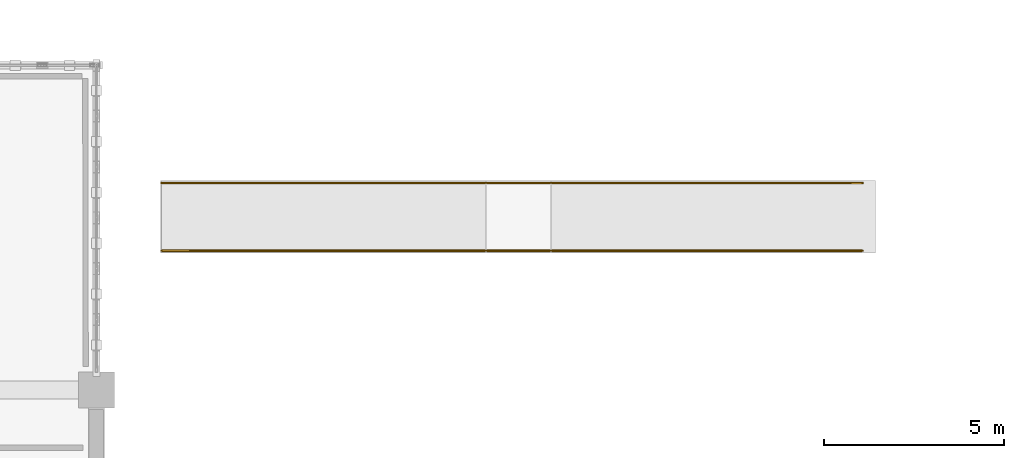
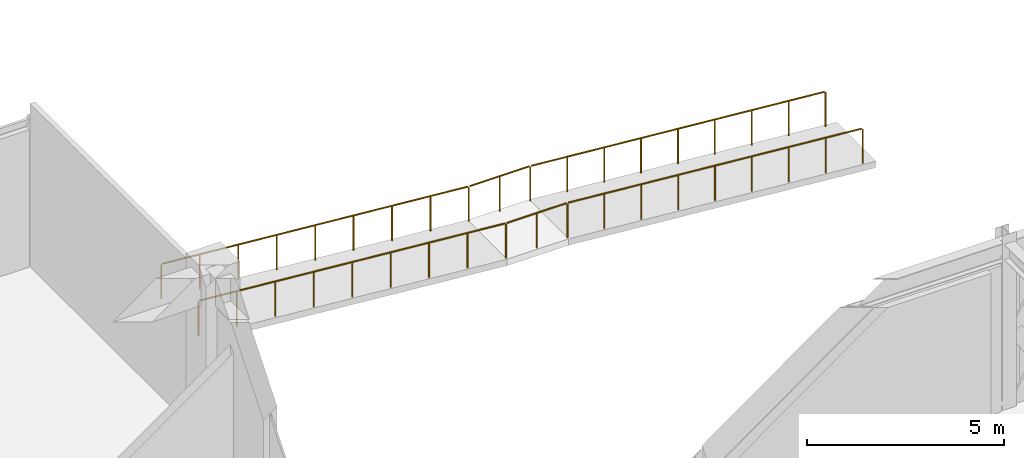
# One storey, part 136 of 140: 2 railings.
"""IFC4 building model written with IfcOpenShell, lengths in metres."""

from ifc_helpers import new_model, si_unit, direction, frame, origin, origin_2d, place, context, subcontext, project, spatial, circle, extrude, material, type_object, element, save


model = new_model("IFC4")

# Units and contexts
model_context = context("Model", 3, precision=1e-05, world=origin(), true_north=direction((0.0, 1.0)))
body_context = subcontext(model_context, "Body", "Model", "MODEL_VIEW")
ifc_project = project(units=[si_unit("LENGTHUNIT", "METRE"), si_unit("AREAUNIT", "SQUARE_METRE"), si_unit("VOLUMEUNIT", "CUBIC_METRE"), si_unit("PLANEANGLEUNIT", "RADIAN"), si_unit("MASSUNIT", "GRAM", prefix="KILO")], contexts=[model_context])

# Site, building, storey
site_placement = place(None, origin())
site = spatial("IfcSite", under=ifc_project, at=site_placement, CompositionType="ELEMENT")
building_placement = place(site_placement, origin())
building = spatial("IfcBuilding", under=site, at=building_placement, Name="Haizhuo Lancet Aquarium", CompositionType="ELEMENT")
storey_placement = place(building_placement, origin())
storey = spatial("IfcBuildingStorey", under=building, at=storey_placement, Name="L00", CompositionType="ELEMENT", Elevation=0.0)

# Railings
ifc_material = material(Name="Steel S355", Category="steel")
railing_type = type_object("IfcRailingType", Name="RL-GRD-1150", PredefinedType="GUARDRAIL", material=ifc_material)
railing_1_placement = place(storey_placement, frame((48.239990234375, 48.860107421875, -1.469970703125)))
element("IfcRailing", 1, at=railing_1_placement, inside=storey, type_object=railing_type, material=ifc_material, Name="North Plaza Accessible Plinth Ramp RMP-04 edge rail 1", PredefinedType="GUARDRAIL", context=body_context, shape_type="SweptSolid", body=[
    extrude(circle(Radius=0.02392578125, at=origin_2d()), frame((-0.02978515625, 0.0, 1.07861328125), z_axis=(-0.996545952447, 0.0, 0.08304314939), x_axis=(0.0, -1.0, 0.0)), (0.0, 0.0, 1.0), 8.60986328125),
    extrude(circle(Radius=0.02392578125, at=origin_2d()), frame((-8.669921875, 0.0, 1.7958984375), z_axis=(-1.0, 0.0, 0.0), x_axis=(0.0, -1.0, 0.0)), (0.0, 0.0, 1.0), 1.739990234375),
    extrude(circle(Radius=0.02392578125, at=origin_2d()), frame((-10.4697265625, 0.0, 1.798583984375), z_axis=(-0.996545758245, 0.0, 0.083045479854), x_axis=(0.0, -1.0, 0.0)), (0.0, 0.0, 1.0), 8.97119140625),
    extrude(circle(Radius=0.02099609375, at=origin_2d()), origin(), (0.0, 0.0, 1.0), 1.048095703125),
    extrude(circle(Radius=0.02099609375, at=origin_2d()), frame((-1.080078125, 0.0, 0.090087890625)), (0.0, 0.0, 1.0), 1.048095703125),
    extrude(circle(Radius=0.02099609375, at=origin_2d()), frame((-2.159912109375, 0.0, 0.179931640625)), (0.0, 0.0, 1.0), 1.048095703125),
    extrude(circle(Radius=0.02099609375, at=origin_2d()), frame((-3.239990234375, 0.0, 0.27001953125)), (0.0, 0.0, 1.0), 1.048095703125),
    extrude(circle(Radius=0.02099609375, at=origin_2d()), frame((-4.31982421875, 0.0, 0.35986328125)), (0.0, 0.0, 1.0), 1.048095703125),
    extrude(circle(Radius=0.02099609375, at=origin_2d()), frame((-5.39990234375, 0.0, 0.449951171875)), (0.0, 0.0, 1.0), 1.048095703125),
    extrude(circle(Radius=0.02099609375, at=origin_2d()), frame((-6.47998046875, 0.0, 0.5400390625)), (0.0, 0.0, 1.0), 1.048095703125),
    extrude(circle(Radius=0.02099609375, at=origin_2d()), frame((-7.559814453125, 0.0, 0.6298828125)), (0.0, 0.0, 1.0), 1.048095703125),
    extrude(circle(Radius=0.02099609375, at=origin_2d()), frame((-8.639892578125, 0.0, 0.719970703125)), (0.0, 0.0, 1.0), 1.048095703125),
    extrude(circle(Radius=0.02099609375, at=origin_2d()), frame((-9.5400390625, 0.0, 0.719970703125)), (0.0, 0.0, 1.0), 1.048095703125),
    extrude(circle(Radius=0.02099609375, at=origin_2d()), frame((-10.43994140625, 0.0, 0.719970703125)), (0.0, 0.0, 1.0), 1.048095703125),
    extrude(circle(Radius=0.02099609375, at=origin_2d()), frame((-11.56494140625, 0.0, 0.813720703125)), (0.0, 0.0, 1.0), 1.048095703125),
    extrude(circle(Radius=0.02099609375, at=origin_2d()), frame((-12.68994140625, 0.0, 0.907470703125)), (0.0, 0.0, 1.0), 1.048095703125),
    extrude(circle(Radius=0.02099609375, at=origin_2d()), frame((-13.81494140625, 0.0, 1.001220703125)), (0.0, 0.0, 1.0), 1.048095703125),
    extrude(circle(Radius=0.02099609375, at=origin_2d()), frame((-14.93994140625, 0.0, 1.094970703125)), (0.0, 0.0, 1.0), 1.048095703125),
    extrude(circle(Radius=0.02099609375, at=origin_2d()), frame((-16.06494140625, 0.0, 1.188720703125)), (0.0, 0.0, 1.0), 1.048095703125),
    extrude(circle(Radius=0.02099609375, at=origin_2d()), frame((-17.18994140625, 0.0, 1.282470703125)), (0.0, 0.0, 1.0), 1.048095703125),
    extrude(circle(Radius=0.02099609375, at=origin_2d()), frame((-18.31494140625, 0.0, 1.376220703125)), (0.0, 0.0, 1.0), 1.048095703125),
    extrude(circle(Radius=0.02099609375, at=origin_2d()), frame((-19.43994140625, 0.0, 1.469970703125)), (0.0, 0.0, 1.0), 1.048095703125),
])
railing_2_placement = place(storey_placement, frame((48.239990234375, 50.739990234375, -1.469970703125)))
element("IfcRailing", 2, at=railing_2_placement, inside=storey, type_object=railing_type, material=ifc_material, Name="North Plaza Accessible Plinth Ramp RMP-04 edge rail 2", PredefinedType="GUARDRAIL", context=body_context, shape_type="SweptSolid", body=[
    extrude(circle(Radius=0.02392578125, at=origin_2d()), frame((-0.02978515625, 0.0, 1.07861328125), z_axis=(-0.996545952447, 0.0, 0.08304314939), x_axis=(0.0, -1.0, 0.0)), (0.0, 0.0, 1.0), 8.60986328125),
    extrude(circle(Radius=0.02392578125, at=origin_2d()), frame((-8.669921875, 0.0, 1.7958984375), z_axis=(-1.0, 0.0, 0.0), x_axis=(0.0, -1.0, 0.0)), (0.0, 0.0, 1.0), 1.739990234375),
    extrude(circle(Radius=0.02392578125, at=origin_2d()), frame((-10.4697265625, 0.0, 1.798583984375), z_axis=(-0.996545758245, 0.0, 0.083045479854), x_axis=(0.0, -1.0, 0.0)), (0.0, 0.0, 1.0), 8.97119140625),
    extrude(circle(Radius=0.02099609375, at=origin_2d()), origin(), (0.0, 0.0, 1.0), 1.048095703125),
    extrude(circle(Radius=0.02099609375, at=origin_2d()), frame((-1.080078125, 0.0, 0.090087890625)), (0.0, 0.0, 1.0), 1.048095703125),
    extrude(circle(Radius=0.02099609375, at=origin_2d()), frame((-2.159912109375, 0.0, 0.179931640625)), (0.0, 0.0, 1.0), 1.048095703125),
    extrude(circle(Radius=0.02099609375, at=origin_2d()), frame((-3.239990234375, 0.0, 0.27001953125)), (0.0, 0.0, 1.0), 1.048095703125),
    extrude(circle(Radius=0.02099609375, at=origin_2d()), frame((-4.31982421875, 0.0, 0.35986328125)), (0.0, 0.0, 1.0), 1.048095703125),
    extrude(circle(Radius=0.02099609375, at=origin_2d()), frame((-5.39990234375, 0.0, 0.449951171875)), (0.0, 0.0, 1.0), 1.048095703125),
    extrude(circle(Radius=0.02099609375, at=origin_2d()), frame((-6.47998046875, 0.0, 0.5400390625)), (0.0, 0.0, 1.0), 1.048095703125),
    extrude(circle(Radius=0.02099609375, at=origin_2d()), frame((-7.559814453125, 0.0, 0.6298828125)), (0.0, 0.0, 1.0), 1.048095703125),
    extrude(circle(Radius=0.02099609375, at=origin_2d()), frame((-8.639892578125, 0.0, 0.719970703125)), (0.0, 0.0, 1.0), 1.048095703125),
    extrude(circle(Radius=0.02099609375, at=origin_2d()), frame((-9.5400390625, 0.0, 0.719970703125)), (0.0, 0.0, 1.0), 1.048095703125),
    extrude(circle(Radius=0.02099609375, at=origin_2d()), frame((-10.43994140625, 0.0, 0.719970703125)), (0.0, 0.0, 1.0), 1.048095703125),
    extrude(circle(Radius=0.02099609375, at=origin_2d()), frame((-11.56494140625, 0.0, 0.813720703125)), (0.0, 0.0, 1.0), 1.048095703125),
    extrude(circle(Radius=0.02099609375, at=origin_2d()), frame((-12.68994140625, 0.0, 0.907470703125)), (0.0, 0.0, 1.0), 1.048095703125),
    extrude(circle(Radius=0.02099609375, at=origin_2d()), frame((-13.81494140625, 0.0, 1.001220703125)), (0.0, 0.0, 1.0), 1.048095703125),
    extrude(circle(Radius=0.02099609375, at=origin_2d()), frame((-14.93994140625, 0.0, 1.094970703125)), (0.0, 0.0, 1.0), 1.048095703125),
    extrude(circle(Radius=0.02099609375, at=origin_2d()), frame((-16.06494140625, 0.0, 1.188720703125)), (0.0, 0.0, 1.0), 1.048095703125),
    extrude(circle(Radius=0.02099609375, at=origin_2d()), frame((-17.18994140625, 0.0, 1.282470703125)), (0.0, 0.0, 1.0), 1.048095703125),
    extrude(circle(Radius=0.02099609375, at=origin_2d()), frame((-18.31494140625, 0.0, 1.376220703125)), (0.0, 0.0, 1.0), 1.048095703125),
    extrude(circle(Radius=0.02099609375, at=origin_2d()), frame((-19.43994140625, 0.0, 1.469970703125)), (0.0, 0.0, 1.0), 1.048095703125),
])

save(model, "model.ifc")
